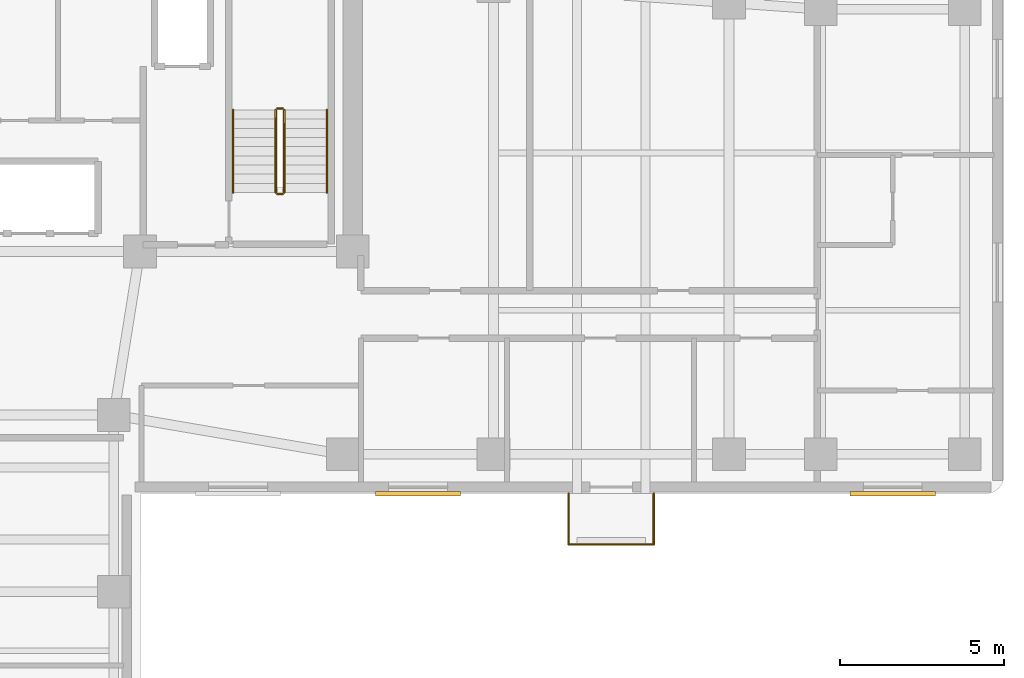
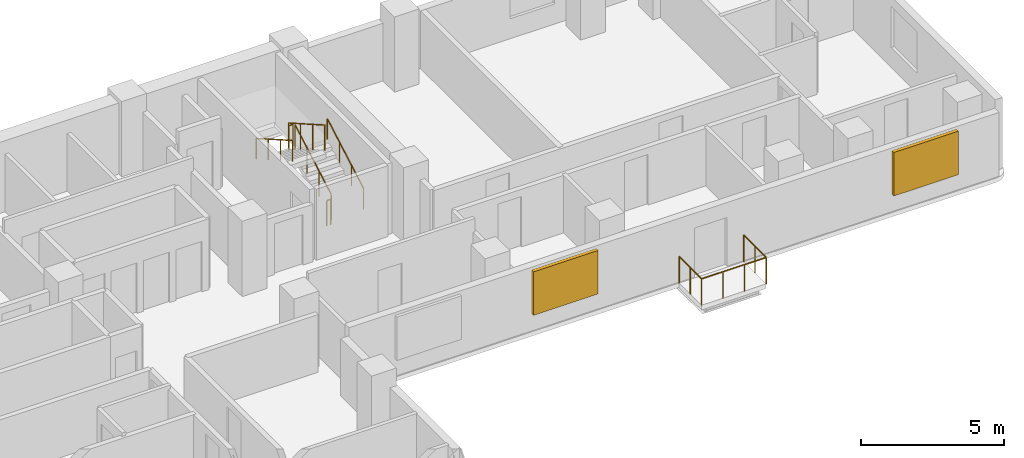
# One storey, part 7 of 7: 9 railings, 2 shading devices.
"""IFC4 building model written with IfcOpenShell, lengths in metres."""

import ifcopenshell
import ifcopenshell.guid

model = None  # the IFC model being written
_history = None  # IfcOwnerHistory: only IFC2X3 demands one
_inside = {}  # id of a spatial element -> (the spatial element, [elements in it])
_under = {}  # id of a project, library or spatial element -> (it, [spatial elements below it])
_declared = {}  # id of a project -> (the project, [libraries it declares])
_typed = {}  # id of a type object -> (the type object, [elements of that type])
_made_of = {}  # id of a material, layer set ... -> (it, [elements and type objects made of it])


def new_model(schema):
    """Start an empty IFC model of exactly this schema.

    Asked for "IFC4X3", IfcOpenShell would pick the latest addendum, in which some entities
    have other attributes; the version numbers below select the first issue.
    IFC2X3 requires an IfcOwnerHistory on every rooted entity: one is made here for all.
    """
    global model, _history
    if schema == "IFC4X3":
        model = ifcopenshell.file(schema_version=(4, 3, 0, 0))
    else:
        model = ifcopenshell.file(schema=schema)
    _inside.clear()
    _under.clear()
    _declared.clear()
    _typed.clear()
    _made_of.clear()
    _history = None
    if model.schema == "IFC2X3":
        org = make("IfcOrganization", Name="unknown")
        user = make(
            "IfcPersonAndOrganization",
            ThePerson=make("IfcPerson", FamilyName="unknown"),
            TheOrganization=org,
        )
        app = make(
            "IfcApplication",
            ApplicationDeveloper=org,
            Version="unknown",
            ApplicationFullName="unknown",
            ApplicationIdentifier="unknown",
        )
        _history = make(
            "IfcOwnerHistory",
            OwningUser=user,
            OwningApplication=app,
            ChangeAction="ADDED",
            CreationDate=0,
        )
    return model


def make(cls, **values):
    """One entity of the class cls with the attributes given. An attribute that is None is left unset."""
    return model.create_entity(
        cls, **{name: value for name, value in values.items() if value is not None}
    )


def rooted(cls, **values):
    """An entity with a GlobalId (a new one), such as an element, a storey or a relation."""
    return make(cls, GlobalId=ifcopenshell.guid.new(), OwnerHistory=_history, **values)


def si_unit(unit_type, name, prefix=None):
    """IfcSIUnit, for example si_unit("LENGTHUNIT", "METRE", prefix="MILLI")."""
    return make("IfcSIUnit", UnitType=unit_type, Prefix=prefix, Name=name)


def assignment(units):
    """IfcUnitAssignment: the units of a project."""
    return None if units is None else make("IfcUnitAssignment", Units=units)


def point(xyz):
    """IfcCartesianPoint."""
    return None if xyz is None else make("IfcCartesianPoint", Coordinates=xyz)


def direction(xyz):
    """IfcDirection."""
    return None if xyz is None else make("IfcDirection", DirectionRatios=xyz)


def frame(location, z_axis=None, x_axis=None):
    """IfcAxis2Placement3D, a coordinate frame: its origin and axes. An axis left out is left unset."""
    return make(
        "IfcAxis2Placement3D",
        Location=point(location),
        Axis=direction(z_axis),
        RefDirection=direction(x_axis),
    )


def frame_2d(location, x_axis=None):
    """IfcAxis2Placement2D, a coordinate frame in the plane: its origin and x axis."""
    return make(
        "IfcAxis2Placement2D", Location=point(location), RefDirection=direction(x_axis)
    )


def origin():
    """The frame at (0, 0, 0) with its axes left unset."""
    return frame((0.0, 0.0, 0.0))


def origin_2d():
    """The frame at (0, 0) in the plane with its x axis left unset."""
    return frame_2d((0.0, 0.0))


def place(relative_to, where):
    """IfcLocalPlacement: puts the frame where relative to a parent placement (None: the world)."""
    return make(
        "IfcLocalPlacement", PlacementRelTo=relative_to, RelativePlacement=where
    )


def context(
    kind, dimensions, precision=None, world=None, true_north=None, identifier=None
):
    """IfcGeometricRepresentationContext, for example the 3D "Model" context."""
    return make(
        "IfcGeometricRepresentationContext",
        ContextIdentifier=identifier,
        ContextType=kind,
        CoordinateSpaceDimension=dimensions,
        Precision=precision,
        WorldCoordinateSystem=world,
        TrueNorth=true_north,
    )


def subcontext(parent, identifier, kind, view, scale=None):
    """IfcGeometricRepresentationSubContext, for example "Body" below "Model"."""
    return make(
        "IfcGeometricRepresentationSubContext",
        ContextIdentifier=identifier,
        ContextType=kind,
        ParentContext=parent,
        TargetScale=scale,
        TargetView=view,
    )


def project(units=None, contexts=None):
    """IfcProject with its units and contexts."""
    return rooted(
        "IfcProject",
        Name="project",
        RepresentationContexts=contexts,
        UnitsInContext=assignment(units),
    )


def spatial(cls, under=None, at=None, **own):
    """A site, building, storey or space (cls), placed at a placement, below another one or the project."""
    s = rooted(cls, ObjectPlacement=at, **own)
    if under is not None:
        _under.setdefault(under.id(), (under, []))[1].append(s)
    return s


def profile(cls, at=None, kind="AREA", **sizes):
    """A parametric profile (cls). Its sizes go by their IFC names, for example OverallWidth=200.0."""
    return make(cls, ProfileType=kind, Position=at, **sizes)


def rectangle(**sizes):
    """IfcRectangleProfileDef."""
    return profile("IfcRectangleProfileDef", **sizes)


def circle(**sizes):
    """IfcCircleProfileDef."""
    return profile("IfcCircleProfileDef", **sizes)


def extrude(swept, where, along, depth):
    """IfcExtrudedAreaSolid: the profile swept, set in the frame where, extruded along a direction by depth."""
    return make(
        "IfcExtrudedAreaSolid",
        SweptArea=swept,
        Position=where,
        ExtrudedDirection=direction(along),
        Depth=depth,
    )


def shape(context_of_items, identifier, shape_type, items):
    """IfcShapeRepresentation: the items that make up one representation, for example the "Body"."""
    return make(
        "IfcShapeRepresentation",
        ContextOfItems=context_of_items,
        RepresentationIdentifier=identifier,
        RepresentationType=shape_type,
        Items=items,
    )


def material(Name=None, Category=None):
    """IfcMaterial."""
    return make("IfcMaterial", Name=Name, Category=Category)


def layer(
    of_material, thickness, ventilated=None, Name=None, Category=None, Priority=None
):
    """IfcMaterialLayer: one layer of a wall or slab, of a material (None: an air gap)."""
    return make(
        "IfcMaterialLayer",
        Material=of_material,
        LayerThickness=thickness,
        IsVentilated=ventilated,
        Name=Name,
        Category=Category,
        Priority=Priority,
    )


def layer_set(layers, Name=None):
    """IfcMaterialLayerSet."""
    return make("IfcMaterialLayerSet", MaterialLayers=layers, LayerSetName=Name)


def made_of(thing, what):
    """Note that an element or type object is made of a material, layer set ...; save() writes the relation."""
    if what is not None:
        _made_of.setdefault(what.id(), (what, []))[1].append(thing)
    return thing


def type_object(cls, material=None, **own):
    """A type object (cls), such as IfcWallType, which elements share."""
    return made_of(rooted(cls, **own), material)


def element(
    cls,
    number,
    at=None,
    inside=None,
    cuts=None,
    type_object=None,
    material=None,
    context=None,
    identifier="Body",
    shape_type=None,
    held_by="IfcProductDefinitionShape",
    body=None,
    shapes=None,
    **own,
):
    """One element of the class cls, such as IfcWall. Its Tag is "e" and its number.

    at: its placement. inside: the storey or other place that contains it. cuts: it is an
    opening in that element (IfcRelVoidsElement). A single representation is given by context,
    identifier, shape_type and body (its items); several are given by shapes. held_by: the class
    of the entity that holds the representations. save() writes the other relations.
    """
    e = rooted(cls, Tag="e%d" % number, ObjectPlacement=at, **own)
    if body is not None:
        shapes = [shape(context, identifier, shape_type, body)]
    if shapes is not None:
        e.Representation = make(held_by, Representations=shapes)
    if inside is not None:
        _inside.setdefault(inside.id(), (inside, []))[1].append(e)
    if cuts is not None:
        rooted(
            "IfcRelVoidsElement", RelatingBuildingElement=cuts, RelatedOpeningElement=e
        )
    if type_object is not None:
        _typed.setdefault(type_object.id(), (type_object, []))[1].append(e)
    return made_of(e, material)


def aggregate(whole, parts):
    """IfcRelAggregates: a whole, such as a stair, and the parts it consists of."""
    return rooted("IfcRelAggregates", RelatingObject=whole, RelatedObjects=parts)


def save(model, path):
    """Write the relations noted so far, then the file.

    IfcRelAggregates (storeys below a building ...), IfcRelContainedInSpatialStructure (elements
    in a storey), IfcRelDefinesByType, IfcRelAssociatesMaterial and IfcRelDeclares: one each for
    every whole, place, type object, material and project.
    """
    for whole, parts in _under.values():
        aggregate(whole, parts)
    for where, things in _inside.values():
        rooted(
            "IfcRelContainedInSpatialStructure",
            RelatedElements=things,
            RelatingStructure=where,
        )
    for kind, things in _typed.values():
        rooted("IfcRelDefinesByType", RelatedObjects=things, RelatingType=kind)
    for what, things in _made_of.values():
        rooted("IfcRelAssociatesMaterial", RelatedObjects=things, RelatingMaterial=what)
    for by, libraries in _declared.values():
        rooted("IfcRelDeclares", RelatingContext=by, RelatedDefinitions=libraries)
    model.write(path)


model = new_model("IFC4")

# Units and contexts
model_context = context("Model", 3, precision=1e-05, world=origin(), true_north=direction((0.0, 1.0)))
body_context = subcontext(model_context, "Body", "Model", "MODEL_VIEW")
ifc_project = project(units=[si_unit("LENGTHUNIT", "METRE"), si_unit("AREAUNIT", "SQUARE_METRE"), si_unit("VOLUMEUNIT", "CUBIC_METRE"), si_unit("PLANEANGLEUNIT", "RADIAN"), si_unit("MASSUNIT", "GRAM", prefix="KILO")], contexts=[model_context])

# Site, building, storey
site_placement = place(None, origin())
site = spatial("IfcSite", under=ifc_project, at=site_placement, CompositionType="ELEMENT")
building_placement = place(site_placement, origin())
building = spatial("IfcBuilding", under=site, at=building_placement, Name="Kuzgunbayir Cultural Tower", CompositionType="ELEMENT")
storey_placement = place(building_placement, frame((0.0, 0.0, 123.39990234375)))
storey = spatial("IfcBuildingStorey", under=building, at=storey_placement, Name="L35", CompositionType="ELEMENT", Elevation=123.39990234375)

# Railings
ifc_material_1 = material(Name="Laminated Glass and Stainless Steel", Category="steel")
ifc_layer_1 = layer(ifc_material_1, 0.080078125)
ifc_layer_set_1 = layer_set([ifc_layer_1], Name="Laminated Glass and Stainless Steel")
railing_type_1 = type_object("IfcRailingType", Name="RLG-BAL-115", PredefinedType="BALUSTRADE", material=ifc_layer_set_1)
railing_1_placement = place(storey_placement, frame((33.5, 26.39990234375, 0.0)))
element("IfcRailing", 1, at=railing_1_placement, inside=storey, type_object=railing_type_1, Name="L35 Balcony Guard BAL-L35-WB2 Segment 1", PredefinedType="BALUSTRADE", context=body_context, shape_type="SweptSolid", body=[
    extrude(circle(Radius=0.02392578125, at=origin_2d()), frame((0.0, 0.0, 1.1259765625), z_axis=(0.0, -1.0, 0.0), x_axis=(1.0, 0.0, 0.0)), (0.0, 0.0, 1.0), 1.559814453125),
    extrude(circle(Radius=0.02099609375, at=origin_2d()), origin(), (0.0, 0.0, 1.0), 1.101806640625),
    extrude(circle(Radius=0.02099609375, at=origin_2d()), frame((0.0, -0.77978515625, 0.0)), (0.0, 0.0, 1.0), 1.101806640625),
    extrude(circle(Radius=0.02099609375, at=origin_2d()), frame((0.0, -1.559814453125, 0.0)), (0.0, 0.0, 1.0), 1.101806640625),
])
railing_2_placement = place(storey_placement, frame((33.5, 24.840087890625, 0.0)))
element("IfcRailing", 2, at=railing_2_placement, inside=storey, type_object=railing_type_1, Name="L35 Balcony Guard BAL-L35-WB2 Segment 2", PredefinedType="BALUSTRADE", context=body_context, shape_type="SweptSolid", body=[
    extrude(circle(Radius=0.02392578125, at=origin_2d()), frame((0.0, 0.0, 1.1259765625), z_axis=(1.0, 0.0, 0.0), x_axis=(0.0, 1.0, 0.0)), (0.0, 0.0, 1.0), 2.60009765625),
    extrude(circle(Radius=0.02099609375, at=origin_2d()), origin(), (0.0, 0.0, 1.0), 1.101806640625),
    extrude(circle(Radius=0.02099609375, at=origin_2d()), frame((0.86669921875, 0.0, 0.0)), (0.0, 0.0, 1.0), 1.101806640625),
    extrude(circle(Radius=0.02099609375, at=origin_2d()), frame((1.7333984375, 0.0, 0.0)), (0.0, 0.0, 1.0), 1.101806640625),
    extrude(circle(Radius=0.02099609375, at=origin_2d()), frame((2.60009765625, 0.0, 0.0)), (0.0, 0.0, 1.0), 1.101806640625),
])
railing_3_placement = place(storey_placement, frame((36.10009765625, 24.840087890625, 0.0)))
element("IfcRailing", 3, at=railing_3_placement, inside=storey, type_object=railing_type_1, Name="L35 Balcony Guard BAL-L35-WB2 Segment 3", PredefinedType="BALUSTRADE", context=body_context, shape_type="SweptSolid", body=[
    extrude(circle(Radius=0.02392578125, at=origin_2d()), frame((0.0, 0.0, 1.1259765625), z_axis=(0.0, 1.0, 0.0), x_axis=(-1.0, 0.0, 0.0)), (0.0, 0.0, 1.0), 1.559814453125),
    extrude(circle(Radius=0.02099609375, at=origin_2d()), origin(), (0.0, 0.0, 1.0), 1.101806640625),
    extrude(circle(Radius=0.02099609375, at=origin_2d()), frame((0.0, 0.77978515625, 0.0)), (0.0, 0.0, 1.0), 1.101806640625),
    extrude(circle(Radius=0.02099609375, at=origin_2d()), frame((0.0, 1.559814453125, 0.0)), (0.0, 0.0, 1.0), 1.101806640625),
])
ifc_material_2 = material(Name="Brushed Stainless Steel", Category="steel")
ifc_layer_2 = layer(ifc_material_2, 0.050048828125)
ifc_layer_set_2 = layer_set([ifc_layer_2], Name="Brushed Stainless Steel")
railing_type_2 = type_object("IfcRailingType", Name="RLG-STAIR-HANDRAIL", PredefinedType="HANDRAIL", material=ifc_layer_set_2)
railing_4_placement = place(storey_placement, frame((26.110107421875, 35.60009765625, 0.16015625)))
element("IfcRailing", 4, at=railing_4_placement, inside=storey, type_object=railing_type_2, Name="L35 ST-2 stair handrail 1", PredefinedType="HANDRAIL", context=body_context, shape_type="SweptSolid", body=[
    extrude(circle(Radius=0.02392578125, at=origin_2d()), frame((0.0, 0.0, 0.8759765625), z_axis=(0.0, 0.868253494771, 0.496120820787), x_axis=(-1.0, 0.0, 0.0)), (0.0, 0.0, 1.0), 2.90234375),
    extrude(circle(Radius=0.02099609375, at=origin_2d()), origin(), (0.0, 0.0, 1.0), 0.851806640625),
    extrude(circle(Radius=0.02099609375, at=origin_2d()), frame((0.0, 0.840087890625, 0.47998046875)), (0.0, 0.0, 1.0), 0.851806640625),
    extrude(circle(Radius=0.02099609375, at=origin_2d()), frame((0.0, 1.679931640625, 0.9599609375)), (0.0, 0.0, 1.0), 0.851806640625),
    extrude(circle(Radius=0.02099609375, at=origin_2d()), frame((0.0, 2.52001953125, 1.43994140625)), (0.0, 0.0, 1.0), 0.851806640625),
])
railing_5_placement = place(storey_placement, frame((23.25, 38.1201171875, 1.760009765625)))
element("IfcRailing", 5, at=railing_5_placement, inside=storey, type_object=railing_type_2, Name="L35 ST-2 stair handrail 2", PredefinedType="HANDRAIL", context=body_context, shape_type="SweptSolid", body=[
    extrude(circle(Radius=0.02392578125, at=origin_2d()), frame((0.0, 0.0, 0.8759765625), z_axis=(0.0, -0.868217259934, 0.496184229447), x_axis=(1.0, 0.0, 0.0)), (0.0, 0.0, 1.0), 2.902587890625),
    extrude(circle(Radius=0.02099609375, at=origin_2d()), origin(), (0.0, 0.0, 1.0), 0.851806640625),
    extrude(circle(Radius=0.02099609375, at=origin_2d()), frame((0.0, -0.840087890625, 0.47998046875)), (0.0, 0.0, 1.0), 0.851806640625),
    extrude(circle(Radius=0.02099609375, at=origin_2d()), frame((0.0, -1.679931640625, 0.960205078125)), (0.0, 0.0, 1.0), 0.851806640625),
    extrude(circle(Radius=0.02099609375, at=origin_2d()), frame((0.0, -2.52001953125, 1.440185546875)), (0.0, 0.0, 1.0), 0.851806640625),
])
ifc_material_3 = material(Name="Painted Steel Balustrade", Category="steel")
ifc_layer_3 = layer(ifc_material_3, 0.06005859375)
ifc_layer_set_3 = layer_set([ifc_layer_3], Name="Painted Steel Balustrade")
railing_type_3 = type_object("IfcRailingType", Name="RLG-WELL-GUARD", PredefinedType="GUARDRAIL", material=ifc_layer_set_3)
railing_6_placement = place(storey_placement, frame((24.81005859375, 35.60009765625, 0.16015625)))
element("IfcRailing", 6, at=railing_6_placement, inside=storey, type_object=railing_type_3, Name="L35 ST-2 stair guard 1", PredefinedType="GUARDRAIL", context=body_context, shape_type="SweptSolid", body=[
    extrude(circle(Radius=0.02392578125, at=origin_2d()), frame((0.0, 0.0, 1.076171875), z_axis=(0.0, 0.868253494771, 0.496120820787), x_axis=(-1.0, 0.0, 0.0)), (0.0, 0.0, 1.0), 2.90234375),
    extrude(circle(Radius=0.02099609375, at=origin_2d()), origin(), (0.0, 0.0, 1.0), 1.052001953125),
    extrude(circle(Radius=0.02099609375, at=origin_2d()), frame((0.0, 0.840087890625, 0.47998046875)), (0.0, 0.0, 1.0), 1.052001953125),
    extrude(circle(Radius=0.02099609375, at=origin_2d()), frame((0.0, 1.679931640625, 0.9599609375)), (0.0, 0.0, 1.0), 1.052001953125),
    extrude(circle(Radius=0.02099609375, at=origin_2d()), frame((0.0, 2.52001953125, 1.43994140625)), (0.0, 0.0, 1.0), 1.052001953125),
])
railing_7_placement = place(storey_placement, frame((24.760009765625, 38.169921875, 1.60009765625)))
element("IfcRailing", 7, at=railing_7_placement, inside=storey, type_object=railing_type_3, Name="L35 ST-2 stair guard 2", PredefinedType="GUARDRAIL", context=body_context, shape_type="SweptSolid", body=[
    extrude(circle(Radius=0.02392578125, at=origin_2d()), frame((0.0, 0.0, 1.076171875), z_axis=(-1.0, 0.0, 0.0), x_axis=(0.0, -1.0, 0.0)), (0.0, 0.0, 1.0), 0.159912109375),
    extrude(circle(Radius=0.02099609375, at=origin_2d()), origin(), (0.0, 0.0, 1.0), 1.052001953125),
    extrude(circle(Radius=0.02099609375, at=origin_2d()), frame((-0.159912109375, 0.0, 0.0)), (0.0, 0.0, 1.0), 1.052001953125),
])
railing_8_placement = place(storey_placement, frame((24.550048828125, 38.1201171875, 1.760009765625)))
element("IfcRailing", 8, at=railing_8_placement, inside=storey, type_object=railing_type_3, Name="L35 ST-2 stair guard 3", PredefinedType="GUARDRAIL", context=body_context, shape_type="SweptSolid", body=[
    extrude(circle(Radius=0.02392578125, at=origin_2d()), frame((0.0, 0.0, 1.076171875), z_axis=(0.0, -0.868217259934, 0.496184229447), x_axis=(1.0, 0.0, 0.0)), (0.0, 0.0, 1.0), 2.902587890625),
    extrude(circle(Radius=0.02099609375, at=origin_2d()), origin(), (0.0, 0.0, 1.0), 1.052001953125),
    extrude(circle(Radius=0.02099609375, at=origin_2d()), frame((0.0, -0.840087890625, 0.47998046875)), (0.0, 0.0, 1.0), 1.052001953125),
    extrude(circle(Radius=0.02099609375, at=origin_2d()), frame((0.0, -1.679931640625, 0.960205078125)), (0.0, 0.0, 1.0), 1.052001953125),
    extrude(circle(Radius=0.02099609375, at=origin_2d()), frame((0.0, -2.52001953125, 1.440185546875)), (0.0, 0.0, 1.0), 1.052001953125),
])
railing_9_placement = place(storey_placement, frame((24.760009765625, 35.550048828125, 0.0)))
element("IfcRailing", 9, at=railing_9_placement, inside=storey, type_object=railing_type_3, Name="L35 ST-2 stair guard 4", PredefinedType="GUARDRAIL", context=body_context, shape_type="SweptSolid", body=[
    extrude(circle(Radius=0.02392578125, at=origin_2d()), frame((0.0, 0.0, 1.076171875), z_axis=(-1.0, 0.0, 0.0), x_axis=(0.0, -1.0, 0.0)), (0.0, 0.0, 1.0), 0.159912109375),
    extrude(circle(Radius=0.02099609375, at=origin_2d()), origin(), (0.0, 0.0, 1.0), 1.052001953125),
    extrude(circle(Radius=0.02099609375, at=origin_2d()), frame((-0.159912109375, 0.0, 0.0)), (0.0, 0.0, 1.0), 1.052001953125),
])

# Shading devices
ifc_material_4 = material(Name="Perforated Bronze-Anodised Aluminium", Category="aluminium")
shading_device_type = type_object("IfcShadingDeviceType", Name="SHD-SOLAR-BRONZE", PredefinedType="JALOUSIE", material=ifc_material_4)
for number, where, z_axis, x_axis, name in (
    (10, (28.89990234375, 26.39990234375, 0.735107421875), (0.0, 0.0, 1.0), (1.0, 0.0, 0.0), "L35 Solar Screen WBS12"),
    (11, (43.39990234375, 26.39990234375, 0.735107421875), (0.0, 0.0, 1.0), (1.0, 0.0, 0.0), "L35 Solar Screen WBS13"),
):
    element("IfcShadingDevice", number, at=place(storey_placement, frame(where, z_axis=z_axis, x_axis=x_axis)), inside=storey, type_object=shading_device_type, Name=name, PredefinedType="JALOUSIE", context=body_context, shape_type="SweptSolid", body=[
        extrude(rectangle(XDim=2.60009765625, YDim=0.139892578125, at=origin_2d()), origin(), (0.0, 0.0, 1.0), 1.85009765625),
    ])

save(model, "model.ifc")
